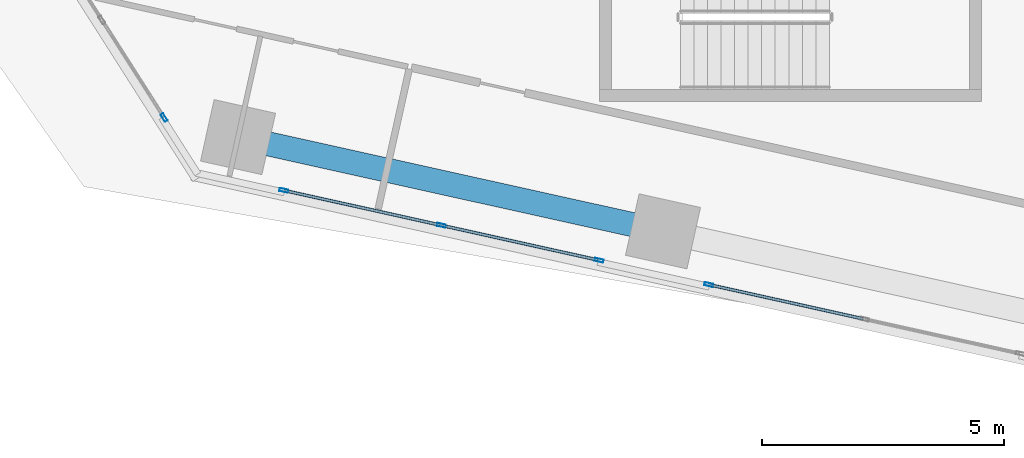
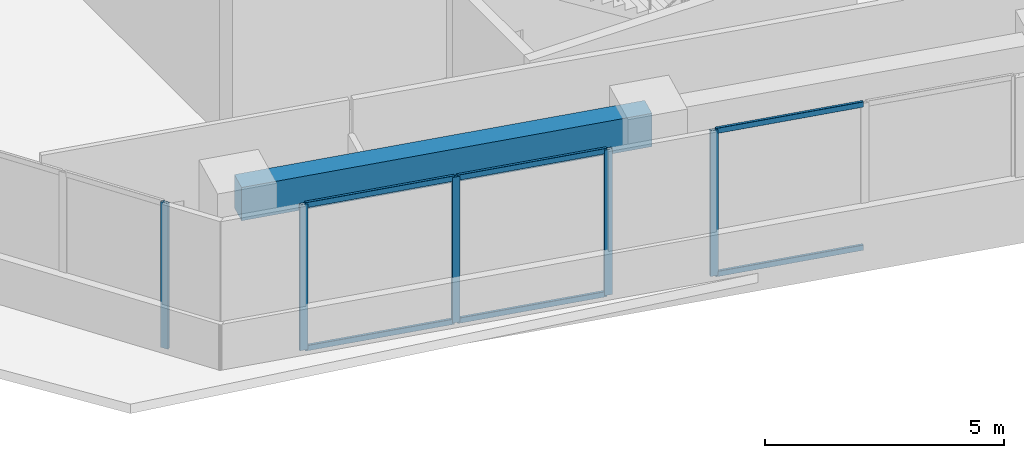
# One storey, part 2 of 25: 11 members, 1 beam, 3 elements without a shape of their own.
"""IFC4 building model written with IfcOpenShell, lengths in metres."""

from ifc_helpers import new_model, si_unit, direction, frame, origin, origin_2d, place, context, subcontext, project, spatial, rectangle, hollow_rectangle, extrude, source, transform, mapped, material, material_profile, profile_set, type_object, element, aggregate, save


model = new_model("IFC4")

# Units and contexts
model_context = context("Model", 3, precision=1e-05, world=origin(), true_north=direction((0.0, 1.0)))
body_context = subcontext(model_context, "Body", "Model", "MODEL_VIEW")
ifc_project = project(units=[si_unit("LENGTHUNIT", "METRE"), si_unit("AREAUNIT", "SQUARE_METRE"), si_unit("VOLUMEUNIT", "CUBIC_METRE"), si_unit("PLANEANGLEUNIT", "RADIAN"), si_unit("MASSUNIT", "GRAM", prefix="KILO")], contexts=[model_context])

# Site, building, storey
site_placement = place(None, origin())
site = spatial("IfcSite", under=ifc_project, at=site_placement, CompositionType="ELEMENT")
building_placement = place(site_placement, origin())
building = spatial("IfcBuilding", under=site, at=building_placement, Name="Torre Montelarca", CompositionType="ELEMENT")
storey_placement = place(building_placement, frame((0.0, 0.0, 87.39990234375)))
storey = spatial("IfcBuildingStorey", under=building, at=storey_placement, Name="L19", CompositionType="ELEMENT", Elevation=87.39990234375)

# Beam
ifc_material_1 = material(Name="Concrete C55/67", Category="concrete")
ifc_material_profile_1 = material_profile(ifc_material_1, rectangle(XDim=0.5, YDim=0.85009765625, at=origin_2d()), Name="RCB500X850", Category="concrete")
ifc_profile_set_1 = profile_set([ifc_material_profile_1], Name="Concrete C55/67")
beam_type = type_object("IfcBeamType", Name="BM-SP-RC850-EXT", PredefinedType="SPANDREL", material=ifc_profile_set_1)
shared_shape_1 = source(origin(), body_context, "Body", "SweptSolid", [
    extrude(rectangle(XDim=0.5, YDim=0.85009765625, at=origin_2d()), origin(), (0.0, 0.0, 1.0), 9.0),
])
beam_placement = place(storey_placement, frame((5.573486328125, 17.9130859375, 3.53515625), z_axis=(0.976294808562, -0.216445020214, 0.0), x_axis=(0.216445020214, 0.976294808562, 0.0)))
element("IfcBeam", 1, at=beam_placement, inside=storey, type_object=beam_type, Name="L19 Grid Girder X 9.0-18.0 at Y=14.8", PredefinedType="SPANDREL", context=body_context, shape_type="MappedRepresentation", body=[
    mapped(shared_shape_1, transform((0.0, 0.0, 0.0), scale=1.0)),
])

# Curtain wall, members
ifc_material_2 = material(Name="Insulated low-E laminated glass", Category="glass")
curtain_wall_type = type_object("IfcCurtainWallType", Name="CW-SYS-Z1", PredefinedType="USERDEFINED", material=ifc_material_2)
curtain_wall_1_placement = place(storey_placement, origin())
curtain_wall_1 = element("IfcCurtainWall", 2, at=curtain_wall_1_placement, inside=storey, type_object=curtain_wall_type, Name="L19 Curtain Wall Run CW-T3-L19-E01-B1", ObjectType="UNITISED GLAZING", PredefinedType="USERDEFINED")
ifc_material_3 = material(Name="Anodised aluminium AA 6063-T6", Category="aluminium")
ifc_material_profile_2 = material_profile(ifc_material_3, hollow_rectangle(XDim=0.06494140625, YDim=0.139892578125, WallThickness=0.00390625, InnerFilletRadius=0.00390625, OuterFilletRadius=0.008056640625, at=origin_2d()), Name="ALU65X140X4", Category="aluminium")
ifc_profile_set_2 = profile_set([ifc_material_profile_2], Name="Anodised aluminium AA 6063-T6")
member_type_1 = type_object("IfcMemberType", Name="CWT-ALU140", PredefinedType="USERDEFINED", material=ifc_profile_set_2)
shared_shape_2 = source(origin(), body_context, "Body", "SweptSolid", [
    extrude(hollow_rectangle(XDim=0.06494140625, YDim=0.139892578125, WallThickness=0.00390625, InnerFilletRadius=0.00390625, OuterFilletRadius=0.008056640625, at=origin_2d()), origin(), (0.0, 0.0, 1.0), 3.272705078125),
])
member_1_placement = place(storey_placement, frame((6.5517578125, 16.80517578125, 0.03271484375), z_axis=(0.976301020546, -0.216416998594, 0.0), x_axis=(0.216416998594, 0.976301020546, 0.0)))
member_1 = element("IfcMember", 3, at=member_1_placement, type_object=member_type_1, Name="CW transom 1.1", ObjectType="TRANSOM", PredefinedType="USERDEFINED", context=body_context, shape_type="MappedRepresentation", body=[
    mapped(shared_shape_2, transform((0.0, 0.0, 0.0), scale=1.0)),
])
member_2_placement = place(storey_placement, frame((6.5517578125, 16.80517578125, 3.6875), z_axis=(0.976301020546, -0.216416998594, 0.0), x_axis=(0.216416998594, 0.976301020546, 0.0)))
member_2 = element("IfcMember", 4, at=member_2_placement, type_object=member_type_1, Name="CW transom 1.2", ObjectType="TRANSOM", PredefinedType="USERDEFINED", context=body_context, shape_type="MappedRepresentation", body=[
    mapped(shared_shape_2, transform((0.0, 0.0, 0.0), scale=1.0)),
])
shared_shape_3 = source(origin(), body_context, "Body", "SweptSolid", [
    extrude(hollow_rectangle(XDim=0.06494140625, YDim=0.139892578125, WallThickness=0.00390625, InnerFilletRadius=0.00390625, OuterFilletRadius=0.008056640625, at=origin_2d()), origin(), (0.0, 0.0, 1.0), 3.2724609375),
])
member_3_placement = place(storey_placement, frame((9.810302734375, 16.082763671875, 0.03271484375), z_axis=(0.976297526136, -0.216432761984, 0.0), x_axis=(0.216432761984, 0.976297526136, 0.0)))
member_3 = element("IfcMember", 5, at=member_3_placement, type_object=member_type_1, Name="CW transom 2.1", ObjectType="TRANSOM", PredefinedType="USERDEFINED", context=body_context, shape_type="MappedRepresentation", body=[
    mapped(shared_shape_3, transform((0.0, 0.0, 0.0), scale=1.0)),
])
member_4_placement = place(storey_placement, frame((9.810302734375, 16.082763671875, 3.6875), z_axis=(0.976297526136, -0.216432761984, 0.0), x_axis=(0.216432761984, 0.976297526136, 0.0)))
member_4 = element("IfcMember", 6, at=member_4_placement, type_object=member_type_1, Name="CW transom 2.2", ObjectType="TRANSOM", PredefinedType="USERDEFINED", context=body_context, shape_type="MappedRepresentation", body=[
    mapped(shared_shape_3, transform((0.0, 0.0, 0.0), scale=1.0)),
])

curtain_wall_2_placement = place(storey_placement, origin())
curtain_wall_2 = element("IfcCurtainWall", 7, at=curtain_wall_2_placement, inside=storey, type_object=curtain_wall_type, Name="L19 Curtain Wall Run CW-T3-L19-E01-B2", ObjectType="UNITISED GLAZING", PredefinedType="USERDEFINED")
shared_shape_4 = source(origin(), body_context, "Body", "SweptSolid", [
    extrude(hollow_rectangle(XDim=0.06494140625, YDim=0.139892578125, WallThickness=0.00390625, InnerFilletRadius=0.00390625, OuterFilletRadius=0.008056640625, at=origin_2d()), origin(), (0.0, 0.0, 1.0), 3.23486328125),
])
member_5_placement = place(storey_placement, frame((15.338623046875, 14.857177734375, 0.03271484375), z_axis=(0.976293489801, -0.216450968518, 0.0), x_axis=(0.216450968518, 0.976293489801, 0.0)))
member_5 = element("IfcMember", 8, at=member_5_placement, type_object=member_type_1, Name="CW transom 1.1", ObjectType="TRANSOM", PredefinedType="USERDEFINED", context=body_context, shape_type="MappedRepresentation", body=[
    mapped(shared_shape_4, transform((0.0, 0.0, 0.0), scale=1.0)),
])
member_6_placement = place(storey_placement, frame((15.338623046875, 14.857177734375, 3.6875), z_axis=(0.976293489801, -0.216450968518, 0.0), x_axis=(0.216450968518, 0.976293489801, 0.0)))
member_6 = element("IfcMember", 9, at=member_6_placement, type_object=member_type_1, Name="CW transom 1.2", ObjectType="TRANSOM", PredefinedType="USERDEFINED", context=body_context, shape_type="MappedRepresentation", body=[
    mapped(shared_shape_4, transform((0.0, 0.0, 0.0), scale=1.0)),
])

# Member
ifc_material_profile_3 = material_profile(ifc_material_3, hollow_rectangle(XDim=0.06494140625, YDim=0.179931640625, WallThickness=0.00390625, InnerFilletRadius=0.00390625, OuterFilletRadius=0.008056640625, at=origin_2d()), Name="ALU65X180X4", Category="aluminium")
ifc_profile_set_3 = profile_set([ifc_material_profile_3], Name="Anodised aluminium AA 6063-T6")
member_type_2 = type_object("IfcMemberType", Name="CWM-ALU180", PredefinedType="MULLION", material=ifc_profile_set_3)
shared_shape_5 = source(origin(), body_context, "Body", "SweptSolid", [
    extrude(hollow_rectangle(XDim=0.06494140625, YDim=0.179931640625, WallThickness=0.00390625, InnerFilletRadius=0.00390625, OuterFilletRadius=0.008056640625, at=origin_2d()), origin(), (0.0, 0.0, 1.0), 3.72021484375),
])
member_7_placement = place(storey_placement, frame((6.52001953125, 16.812255859375, 0.0), z_axis=(0.0, 0.0, 1.0), x_axis=(0.216437154905, 0.976296552271, 0.0)))
member_7 = element("IfcMember", 10, at=member_7_placement, type_object=member_type_2, Name="CW mullion 1", PredefinedType="MULLION", context=body_context, shape_type="MappedRepresentation", body=[
    mapped(shared_shape_5, transform((0.0, 0.0, 0.0), scale=1.0)),
])

member_8_placement = place(storey_placement, frame((9.778564453125, 16.08984375, 0.0), z_axis=(0.0, 0.0, 1.0), x_axis=(0.216437154905, 0.976296552271, 0.0)))
member_8 = element("IfcMember", 11, at=member_8_placement, type_object=member_type_2, Name="CW mullion 2", PredefinedType="MULLION", context=body_context, shape_type="MappedRepresentation", body=[
    mapped(shared_shape_5, transform((0.0, 0.0, 0.0), scale=1.0)),
])

member_9_placement = place(storey_placement, frame((13.036865234375, 15.367431640625, 0.0), z_axis=(0.0, 0.0, 1.0), x_axis=(0.216437154905, 0.976296552271, 0.0)))
member_9 = element("IfcMember", 12, at=member_9_placement, type_object=member_type_2, Name="CW mullion 3", PredefinedType="MULLION", context=body_context, shape_type="MappedRepresentation", body=[
    mapped(shared_shape_5, transform((0.0, 0.0, 0.0), scale=1.0)),
])

aggregate(curtain_wall_1, [member_7, member_8, member_9, member_1, member_2, member_3, member_4])

member_10_placement = place(storey_placement, frame((15.306884765625, 14.8642578125, 0.0), z_axis=(0.0, 0.0, 1.0), x_axis=(0.216441138486, 0.976295669135, 0.0)))
member_10 = element("IfcMember", 13, at=member_10_placement, type_object=member_type_2, Name="CW mullion 1", PredefinedType="MULLION", context=body_context, shape_type="MappedRepresentation", body=[
    mapped(shared_shape_5, transform((0.0, 0.0, 0.0), scale=1.0)),
])

aggregate(curtain_wall_2, [member_10, member_5, member_6])

# Curtain wall, member
curtain_wall_3_placement = place(storey_placement, origin())
curtain_wall_3 = element("IfcCurtainWall", 14, at=curtain_wall_3_placement, inside=storey, type_object=curtain_wall_type, Name="L19 Curtain Wall Run CW-T3-L19-E11-B1", ObjectType="UNITISED GLAZING", PredefinedType="USERDEFINED")
member_11_placement = place(storey_placement, frame((4.044677734375, 18.317626953125, 0.0), z_axis=(0.0, 0.0, 1.0), x_axis=(0.84338409726, 0.537311143091, 0.0)))
member_11 = element("IfcMember", 15, at=member_11_placement, type_object=member_type_2, Name="CW mullion 3", PredefinedType="MULLION", context=body_context, shape_type="MappedRepresentation", body=[
    mapped(shared_shape_5, transform((0.0, 0.0, 0.0), scale=1.0)),
])
aggregate(curtain_wall_3, [member_11])

save(model, "model.ifc")
